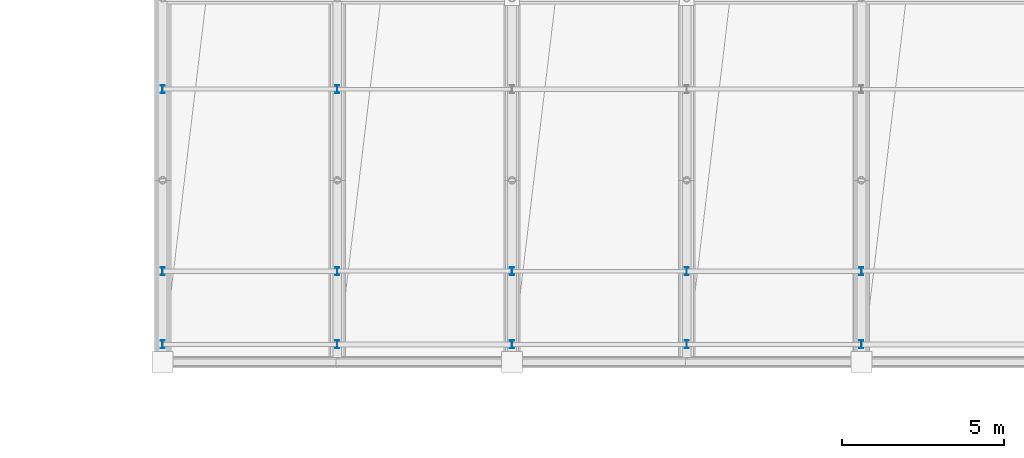
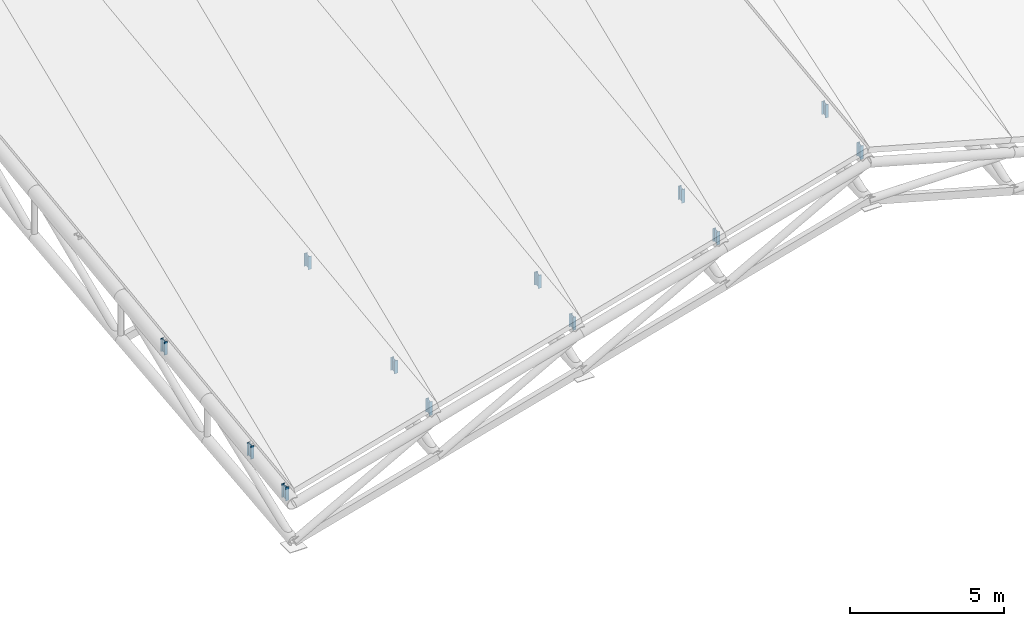
# One storey, part 53 of 109: 12 members.
"""IFC4 building model written with IfcOpenShell, lengths in metres."""

from ifc_helpers import new_model, si_unit, direction, frame, origin, origin_2d, place, context, subcontext, project, spatial, i_section, extrude, material, material_profile, profile_set, type_object, element, save


model = new_model("IFC4")

# Units and contexts
model_context = context("Model", 3, precision=1e-05, world=origin(), true_north=direction((0.0, 1.0)))
body_context = subcontext(model_context, "Body", "Model", "MODEL_VIEW")
ifc_project = project(units=[si_unit("LENGTHUNIT", "METRE"), si_unit("AREAUNIT", "SQUARE_METRE"), si_unit("VOLUMEUNIT", "CUBIC_METRE"), si_unit("PLANEANGLEUNIT", "RADIAN"), si_unit("MASSUNIT", "GRAM", prefix="KILO")], contexts=[model_context])

# Site, building, storey
site_placement = place(None, origin())
site = spatial("IfcSite", under=ifc_project, at=site_placement, CompositionType="ELEMENT")
building_placement = place(site_placement, origin())
building = spatial("IfcBuilding", under=site, at=building_placement, Name="Suirenkawa Promenade Aquatics Centre", CompositionType="ELEMENT")
storey_placement = place(building_placement, frame((0.0, 0.0, 22.800048828125)))
storey = spatial("IfcBuildingStorey", under=building, at=storey_placement, Name="ROOF", CompositionType="ELEMENT", Elevation=22.800048828125)

# Members
ifc_material = material(Name="Steel IS 2062 E350 (Grade 350)", Category="steel")
ifc_material_profile = material_profile(ifc_material, i_section(OverallWidth=0.125, OverallDepth=0.25, WebThickness=0.007080078125, FlangeThickness=0.012939453125, at=origin_2d()), Name="ISMB 250", Category="steel")
ifc_profile_set = profile_set([ifc_material_profile], Name="Steel IS 2062 E350 (Grade 350)")
member_type = type_object("IfcMemberType", Name="MT-WEB-CHS168", PredefinedType="BRACE", material=ifc_profile_set)
for number, where, z_axis, x_axis, name in (
    (1, (46.800048828125, 50.949951171875, -15.149169921875), (0.0, 0.0, 1.0), (1.0, 0.0, 0.0), "ROOF TRUSS Purlin cleat post TD-03 MB-1670"),
    (2, (52.199951171875, 50.949951171875, -13.649169921875), (0.0, 0.0, 1.0), (1.0, 0.0, 0.0), "ROOF TRUSS Purlin cleat post TD-03 MB-1671"),
):
    element("IfcMember", number, at=place(storey_placement, frame(where, z_axis=z_axis, x_axis=x_axis)), inside=storey, type_object=member_type, Name=name, PredefinedType="BRACE", context=body_context, shape_type="SweptSolid", body=[
        extrude(i_section(OverallWidth=0.125, OverallDepth=0.25, WebThickness=0.007080078125, FlangeThickness=0.012939453125, at=origin_2d()), origin(), (0.0, 0.0, 1.0), 0.546142578125),
    ])
for number, where, z_axis, x_axis, name in (
    (3, (46.800048828125, 53.2119140625, -14.858154296875), (0.0, 0.0, 1.0), (1.0, 0.0, 0.0), "ROOF TRUSS Purlin cleat post TD-03 MB-1673"),
    (4, (52.199951171875, 53.2119140625, -13.358154296875), (0.0, 0.0, 1.0), (1.0, 0.0, 0.0), "ROOF TRUSS Purlin cleat post TD-03 MB-1674"),
):
    element("IfcMember", number, at=place(storey_placement, frame(where, z_axis=z_axis, x_axis=x_axis)), inside=storey, type_object=member_type, Name=name, PredefinedType="BRACE", context=body_context, shape_type="SweptSolid", body=[
        extrude(i_section(OverallWidth=0.125, OverallDepth=0.25, WebThickness=0.007080078125, FlangeThickness=0.012939453125, at=origin_2d()), origin(), (0.0, 0.0, 1.0), 0.52001953125),
    ])
for number, where, z_axis, x_axis, name in (
    (5, (46.800048828125, 58.8369140625, -14.133056640625), (0.0, 0.0, 1.0), (1.0, 0.0, 0.0), "ROOF TRUSS Purlin cleat post TD-03 MB-1676"),
    (6, (52.199951171875, 58.8369140625, -12.633056640625), (0.0, 0.0, 1.0), (1.0, 0.0, 0.0), "ROOF TRUSS Purlin cleat post TD-03 MB-1677"),
):
    element("IfcMember", number, at=place(storey_placement, frame(where, z_axis=z_axis, x_axis=x_axis)), inside=storey, type_object=member_type, Name=name, PredefinedType="BRACE", context=body_context, shape_type="SweptSolid", body=[
        extrude(i_section(OverallWidth=0.125, OverallDepth=0.25, WebThickness=0.007080078125, FlangeThickness=0.012939453125, at=origin_2d()), origin(), (0.0, 0.0, 1.0), 0.52099609375),
    ])
member_1_placement = place(storey_placement, frame((57.60009765625, 50.949951171875, -12.149169921875), z_axis=(0.0, 0.0, 1.0), x_axis=(1.0, 0.0, 0.0)))
element("IfcMember", 7, at=member_1_placement, inside=storey, type_object=member_type, Name="ROOF TRUSS Purlin cleat post TD-03 MB-1724", PredefinedType="BRACE", context=body_context, shape_type="SweptSolid", body=[
    extrude(i_section(OverallWidth=0.125, OverallDepth=0.25, WebThickness=0.007080078125, FlangeThickness=0.012939453125, at=origin_2d()), origin(), (0.0, 0.0, 1.0), 0.51904296875),
])
member_2_placement = place(storey_placement, frame((57.60009765625, 53.2119140625, -11.858154296875), z_axis=(0.0, 0.0, 1.0), x_axis=(1.0, 0.0, 0.0)))
element("IfcMember", 8, at=member_2_placement, inside=storey, type_object=member_type, Name="ROOF TRUSS Purlin cleat post TD-03 MB-1726", PredefinedType="BRACE", context=body_context, shape_type="SweptSolid", body=[
    extrude(i_section(OverallWidth=0.125, OverallDepth=0.25, WebThickness=0.007080078125, FlangeThickness=0.012939453125, at=origin_2d()), origin(), (0.0, 0.0, 1.0), 0.52099609375),
])
member_3_placement = place(storey_placement, frame((63.0, 50.949951171875, -10.649169921875), z_axis=(0.0, 0.0, 1.0), x_axis=(1.0, 0.0, 0.0)))
element("IfcMember", 9, at=member_3_placement, inside=storey, type_object=member_type, Name="ROOF TRUSS Purlin cleat post TD-03 MB-1760", PredefinedType="BRACE", context=body_context, shape_type="SweptSolid", body=[
    extrude(i_section(OverallWidth=0.125, OverallDepth=0.25, WebThickness=0.007080078125, FlangeThickness=0.012939453125, at=origin_2d()), origin(), (0.0, 0.0, 1.0), 0.521240234375),
])
member_4_placement = place(storey_placement, frame((63.0, 53.2119140625, -10.358154296875), z_axis=(0.0, 0.0, 1.0), x_axis=(1.0, 0.0, 0.0)))
element("IfcMember", 10, at=member_4_placement, inside=storey, type_object=member_type, Name="ROOF TRUSS Purlin cleat post TD-03 MB-1762", PredefinedType="BRACE", context=body_context, shape_type="SweptSolid", body=[
    extrude(i_section(OverallWidth=0.125, OverallDepth=0.25, WebThickness=0.007080078125, FlangeThickness=0.012939453125, at=origin_2d()), origin(), (0.0, 0.0, 1.0), 0.547119140625),
])
member_5_placement = place(storey_placement, frame((68.39990234375, 50.949951171875, -9.149169921875), z_axis=(0.0, 0.0, 1.0), x_axis=(1.0, 0.0, 0.0)))
element("IfcMember", 11, at=member_5_placement, inside=storey, type_object=member_type, Name="ROOF TRUSS Purlin cleat post TD-03 MB-1796", PredefinedType="BRACE", context=body_context, shape_type="SweptSolid", body=[
    extrude(i_section(OverallWidth=0.125, OverallDepth=0.25, WebThickness=0.007080078125, FlangeThickness=0.012939453125, at=origin_2d()), origin(), (0.0, 0.0, 1.0), 0.546142578125),
])
member_6_placement = place(storey_placement, frame((68.39990234375, 53.2119140625, -8.858154296875), z_axis=(0.0, 0.0, 1.0), x_axis=(1.0, 0.0, 0.0)))
element("IfcMember", 12, at=member_6_placement, inside=storey, type_object=member_type, Name="ROOF TRUSS Purlin cleat post TD-03 MB-1798", PredefinedType="BRACE", context=body_context, shape_type="SweptSolid", body=[
    extrude(i_section(OverallWidth=0.125, OverallDepth=0.25, WebThickness=0.007080078125, FlangeThickness=0.012939453125, at=origin_2d()), origin(), (0.0, 0.0, 1.0), 0.52001953125),
])

save(model, "model.ifc")
